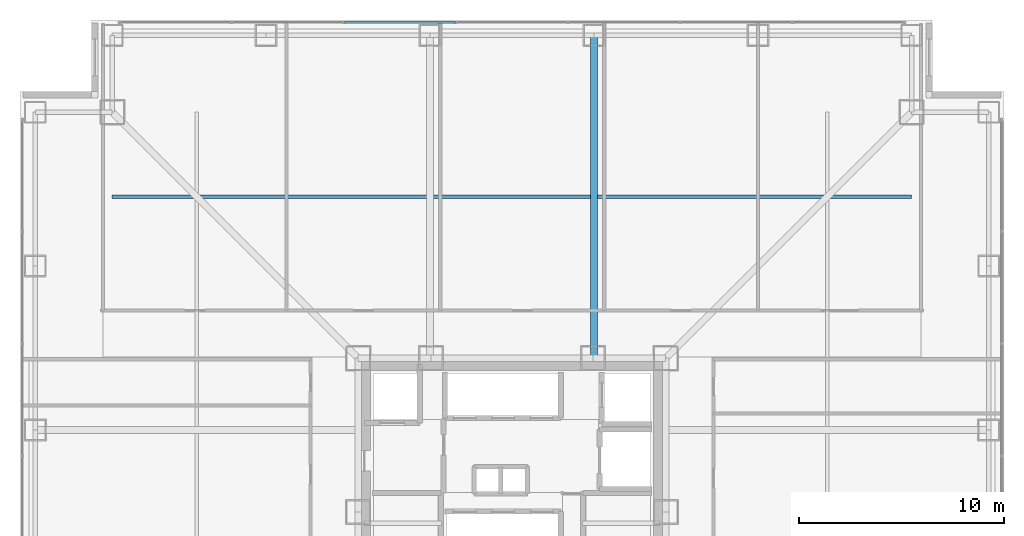
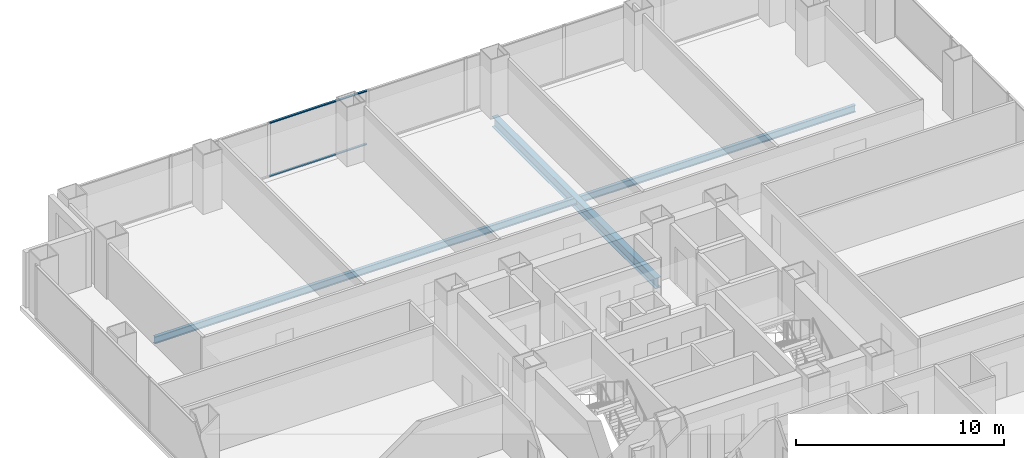
# One storey, part 12 of 20: 2 beams, 2 members, 1 element without a shape of its own.
"""IFC4 building model written with IfcOpenShell, lengths in metres."""

from ifc_helpers import new_model, si_unit, direction, frame, origin, origin_2d, place, context, subcontext, project, spatial, rectangle, i_section, extrude, material, layer, layer_set, material_profile, profile_set, type_object, element, aggregate, save


model = new_model("IFC4")

# Units and contexts
model_context = context("Model", 3, precision=1e-05, world=origin(), true_north=direction((0.0, 1.0)))
body_context = subcontext(model_context, "Body", "Model", "MODEL_VIEW")
ifc_project = project(units=[si_unit("LENGTHUNIT", "METRE"), si_unit("AREAUNIT", "SQUARE_METRE"), si_unit("VOLUMEUNIT", "CUBIC_METRE"), si_unit("PLANEANGLEUNIT", "RADIAN"), si_unit("MASSUNIT", "GRAM", prefix="KILO")], contexts=[model_context])

# Site, building, storey
site_placement = place(None, origin())
site = spatial("IfcSite", under=ifc_project, at=site_placement, CompositionType="ELEMENT")
building_placement = place(site_placement, origin())
building = spatial("IfcBuilding", under=site, at=building_placement, Name="Trevonay Congress Spire", CompositionType="ELEMENT")
storey_placement = place(building_placement, frame((0.0, 0.0, 62.0)))
storey = spatial("IfcBuildingStorey", under=building, at=storey_placement, Name="L15", CompositionType="ELEMENT", Elevation=62.0)

# Beam
ifc_material_1 = material(Name="Steel ASTM A572 Grade 50", Category="steel")
ifc_material_profile_1 = material_profile(ifc_material_1, i_section(OverallWidth=0.324951171875, OverallDepth=0.615966796875, WebThickness=0.013916015625, FlangeThickness=0.021484375, FilletRadius=0.01806640625, at=origin_2d()), Name="W610x174")
ifc_profile_set_1 = profile_set([ifc_material_profile_1], Name="Steel ASTM A572 Grade 50")
beam_type_1 = type_object("IfcBeamType", Name="BM-GIRD-W610X174", PredefinedType="BEAM", material=ifc_profile_set_1)
beam_1_placement = place(storey_placement, frame((4.0, 7.5, -0.55810546875), z_axis=(0.0, 1.0, 0.0), x_axis=(-1.0, 0.0, 0.0)))
element("IfcBeam", 1, at=beam_1_placement, inside=storey, type_object=beam_type_1, Name="L15 structural beam BM-L15-GN-P", PredefinedType="BEAM", context=body_context, shape_type="SweptSolid", body=[
    extrude(i_section(OverallWidth=0.324951171875, OverallDepth=0.615966796875, WebThickness=0.013916015625, FlangeThickness=0.021484375, FilletRadius=0.01806640625, at=origin_2d()), origin(), (0.0, 0.0, 1.0), 15.75),
])

# Curtain wall, members
ifc_material_2 = material(Name="Pale Anodised Aluminium EN AW-6063-T6", Category="aluminium")
ifc_layer = layer(ifc_material_2, 0.179931640625, Name="Pale Anodised Aluminium EN AW-6063-T6")
ifc_layer_set = layer_set([ifc_layer], Name="Pale Anodised Aluminium EN AW-6063-T6")
curtain_wall_type = type_object("IfcCurtainWallType", Name="CW-SYS02-HOTEL-PALE-METAL", PredefinedType="NOTDEFINED", material=ifc_layer_set)
curtain_wall_placement = place(storey_placement, origin())
curtain_wall = element("IfcCurtainWall", 2, at=curtain_wall_placement, inside=storey, type_object=curtain_wall_type, Name="L15 N unitised curtain wall", PredefinedType="NOTDEFINED")
ifc_material_profile_2 = material_profile(ifc_material_2, rectangle(XDim=0.1201171875, YDim=0.06005859375, at=origin_2d()), Name="CW-TRANSOM-120-ALUMINIUM")
ifc_profile_set_2 = profile_set([ifc_material_profile_2], Name="Pale Anodised Aluminium EN AW-6063-T6")
member_type = type_object("IfcMemberType", Name="CW-TRANSOM-120-ALUMINIUM", PredefinedType="USERDEFINED", material=ifc_profile_set_2)
member_1_placement = place(storey_placement, frame((-8.17724609375, 23.8798828125, 0.06005859375), z_axis=(1.0, 0.0, 0.0), x_axis=(0.0, 1.0, 0.0)))
member_1 = element("IfcMember", 3, at=member_1_placement, type_object=member_type, Name="CW02 transom 3.1", ObjectType="TRANSOM", PredefinedType="USERDEFINED", context=body_context, shape_type="SweptSolid", body=[
    extrude(rectangle(XDim=0.1201171875, YDim=0.06005859375, at=origin_2d()), origin(), (0.0, 0.0, 1.0), 5.41162109375),
])
member_2_placement = place(storey_placement, frame((-8.17724609375, 23.8798828125, 3.18994140625), z_axis=(1.0, 0.0, 0.0), x_axis=(0.0, 1.0, 0.0)))
member_2 = element("IfcMember", 4, at=member_2_placement, type_object=member_type, Name="CW02 transom 3.2", ObjectType="TRANSOM", PredefinedType="USERDEFINED", context=body_context, shape_type="SweptSolid", body=[
    extrude(rectangle(XDim=0.1201171875, YDim=0.06005859375, at=origin_2d()), origin(), (0.0, 0.0, 1.0), 5.41162109375),
])
aggregate(curtain_wall, [member_1, member_2])

# Beam
ifc_material_profile_3 = material_profile(ifc_material_1, i_section(OverallWidth=0.177978515625, OverallDepth=0.406982421875, WebThickness=0.0078125, FlangeThickness=0.0126953125, FilletRadius=0.012939453125, at=origin_2d()), Name="W410x60")
ifc_profile_set_3 = profile_set([ifc_material_profile_3], Name="Steel ASTM A572 Grade 50")
beam_type_2 = type_object("IfcBeamType", Name="JS-COMP-W410X60", PredefinedType="JOIST", material=ifc_profile_set_3)
beam_2_placement = place(storey_placement, frame((-19.5, 15.375, -0.45361328125), z_axis=(1.0, 0.0, 0.0), x_axis=(0.0, 1.0, 0.0)))
element("IfcBeam", 5, at=beam_2_placement, inside=storey, type_object=beam_type_2, Name="L15 structural beam JS-L15-RING-N", PredefinedType="JOIST", context=body_context, shape_type="SweptSolid", body=[
    extrude(i_section(OverallWidth=0.177978515625, OverallDepth=0.406982421875, WebThickness=0.0078125, FlangeThickness=0.0126953125, FilletRadius=0.012939453125, at=origin_2d()), origin(), (0.0, 0.0, 1.0), 39.0),
])

save(model, "model.ifc")
